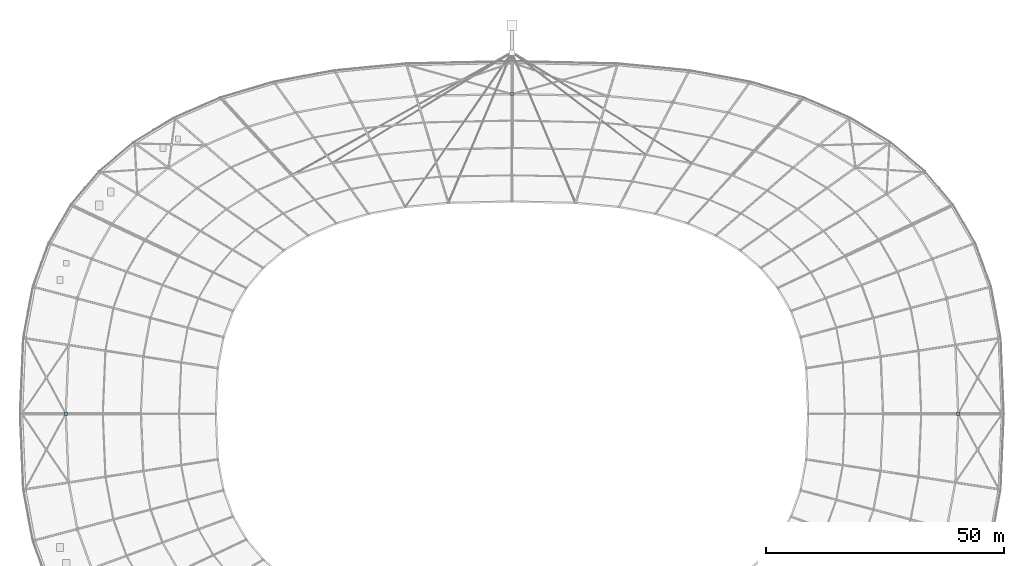
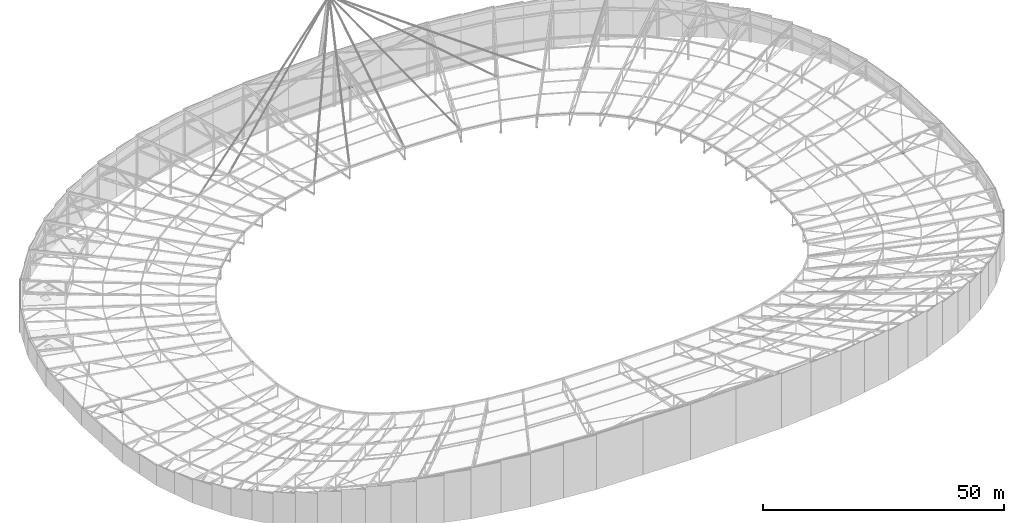
# One storey, part 139 of 143: 3 discrete accessories.
"""IFC4 building model written with IfcOpenShell, lengths in metres."""

from ifc_helpers import new_model, si_unit, direction, frame, origin, origin_2d, place, context, subcontext, project, spatial, rectangle, extrude, material, type_object, element, save


model = new_model("IFC4")

# Units and contexts
model_context = context("Model", 3, precision=1e-05, world=origin(), true_north=direction((0.0, 1.0)))
body_context = subcontext(model_context, "Body", "Model", "MODEL_VIEW")
ifc_project = project(units=[si_unit("LENGTHUNIT", "METRE"), si_unit("AREAUNIT", "SQUARE_METRE"), si_unit("VOLUMEUNIT", "CUBIC_METRE"), si_unit("PLANEANGLEUNIT", "RADIAN"), si_unit("MASSUNIT", "GRAM", prefix="KILO")], contexts=[model_context])

# Site, building, storey
site_placement = place(None, origin())
site = spatial("IfcSite", under=ifc_project, at=site_placement, CompositionType="ELEMENT")
building_placement = place(site_placement, origin())
building = spatial("IfcBuilding", under=site, at=building_placement, Name="Mphavela Belvedere Stadium", CompositionType="ELEMENT")
storey_placement = place(building_placement, frame((0.0, 0.0, 28.800048828125)))
storey = spatial("IfcBuildingStorey", under=building, at=storey_placement, Name="RF", CompositionType="ELEMENT", Elevation=28.800048828125)

# Discrete accessories
ifc_material = material(Name="Steel S355", Category="steel")
discrete_accessory_type = type_object("IfcDiscreteAccessoryType", Name="ACC-TRUSS-SHOE", PredefinedType="SHOE", material=ifc_material)
for number, where, z_axis, x_axis, name in (
    (1, (208.60498046875, 87.0, 0.17138671875), (0.0, 0.0, 1.0), (1.0, 0.0, 0.0), "Spherical roof truss bearing shoe R3-01"),
    (2, (115.0, 154.0673828125, 8.9111328125), (0.0, 0.0, 1.0), (0.0, 1.0, 0.0), "Spherical roof truss bearing shoe R3-13"),
    (3, (21.39501953125, 87.0, 0.17138671875), (0.0, 0.0, 1.0), (-1.0, 0.0, 0.0), "Spherical roof truss bearing shoe R3-25"),
):
    element("IfcDiscreteAccessory", number, at=place(storey_placement, frame(where, z_axis=z_axis, x_axis=x_axis)), inside=storey, type_object=discrete_accessory_type, Name=name, PredefinedType="SHOE", context=body_context, shape_type="SweptSolid", body=[
        extrude(rectangle(XDim=0.64990234375, YDim=0.64990234375, at=origin_2d()), origin(), (0.0, 0.0, 1.0), 0.159912109375),
    ])

save(model, "model.ifc")
